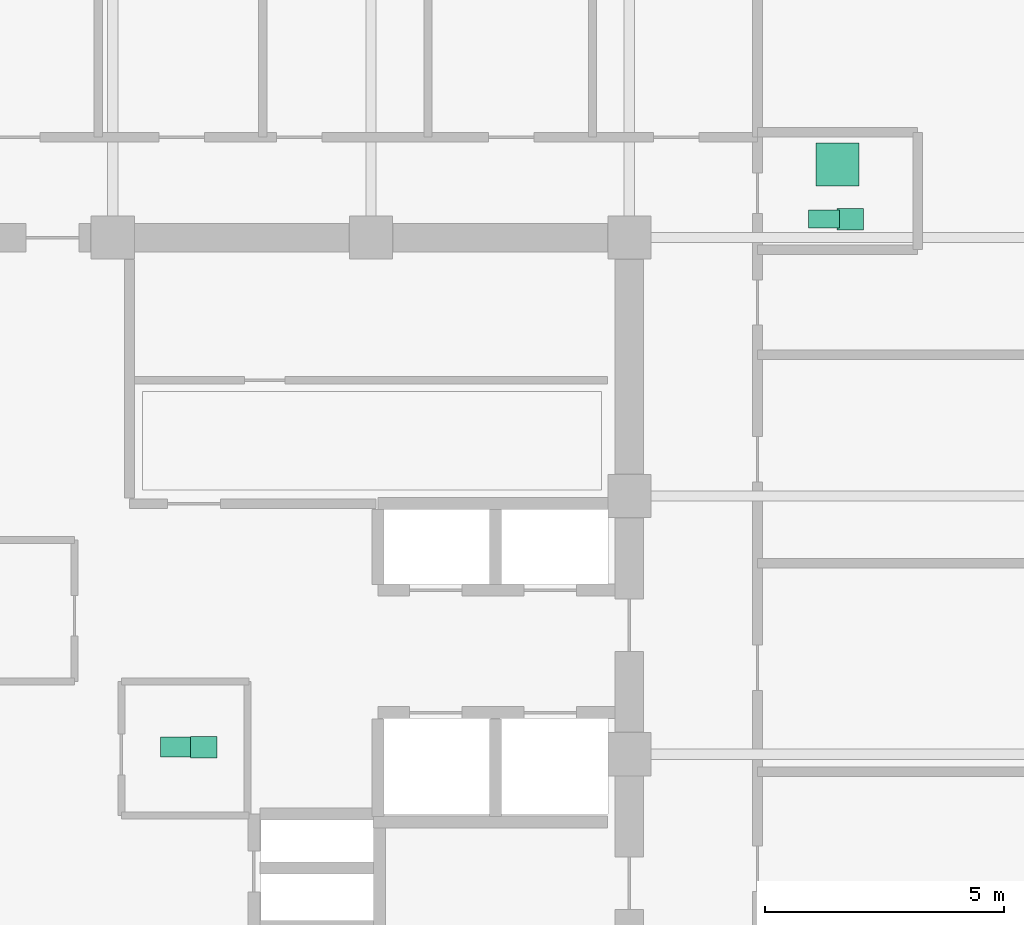
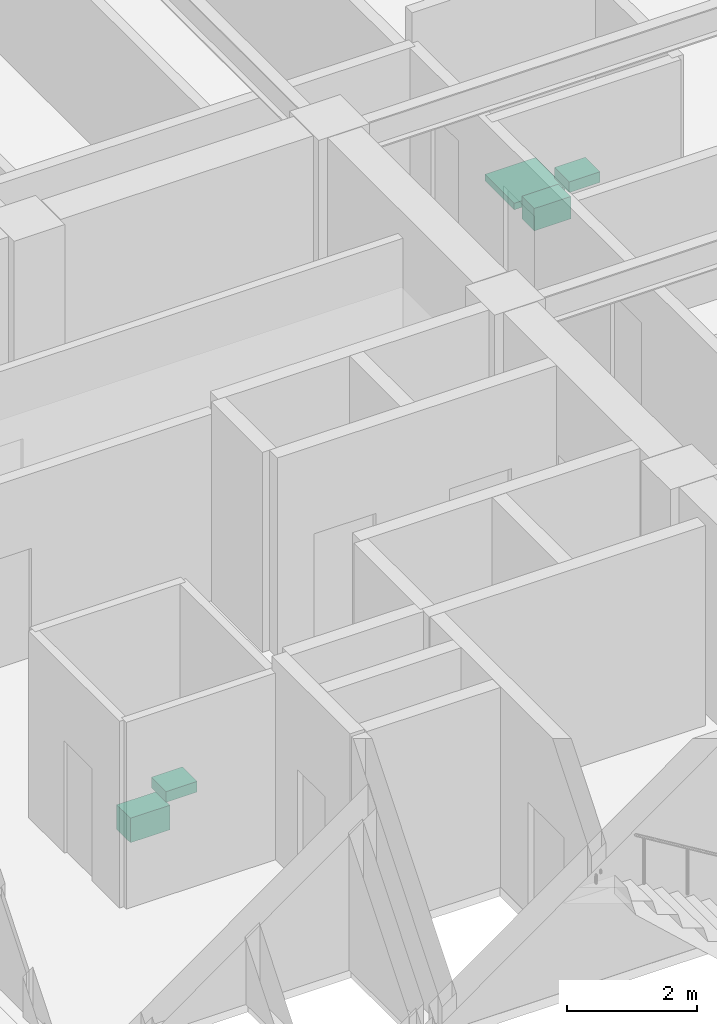
# One storey, part 28 of 28: 5 sanitary terminals.
"""IFC4 building model written with IfcOpenShell, lengths in metres."""

from ifc_helpers import new_model, si_unit, direction, frame, origin, origin_2d, place, context, subcontext, project, spatial, rectangle, extrude, material, type_object, element, save


model = new_model("IFC4")

# Units and contexts
model_context = context("Model", 3, precision=1e-05, world=origin(), true_north=direction((0.0, 1.0)))
body_context = subcontext(model_context, "Body", "Model", "MODEL_VIEW")
ifc_project = project(units=[si_unit("LENGTHUNIT", "METRE"), si_unit("AREAUNIT", "SQUARE_METRE"), si_unit("VOLUMEUNIT", "CUBIC_METRE"), si_unit("PLANEANGLEUNIT", "RADIAN"), si_unit("MASSUNIT", "GRAM", prefix="KILO")], contexts=[model_context])

# Site, building, storey
site_placement = place(None, origin())
site = spatial("IfcSite", under=ifc_project, at=site_placement, CompositionType="ELEMENT")
building_placement = place(site_placement, origin())
building = spatial("IfcBuilding", under=site, at=building_placement, Name="Surkhivell Harbour Commons", CompositionType="ELEMENT")
storey_placement = place(building_placement, frame((0.0, 0.0, 246.0)))
storey = spatial("IfcBuildingStorey", under=building, at=storey_placement, Name="L64", CompositionType="ELEMENT", Elevation=246.0)

# Sanitary terminals
ifc_material_1 = material(Name="Vitreous china washbasin", Category="other")
sanitary_terminal_type_1 = type_object("IfcSanitaryTerminalType", Name="SAN-BSN", PredefinedType="WASHHANDBASIN", material=ifc_material_1)
for number, where, z_axis, x_axis, name in (
    (1, (1.89990234375, 0.14990234375, 0.72021484375), (0.0, 0.0, 1.0), (1.0, 0.0, 0.0), "L64 Core Accessible WC Washbasin"),
    (2, (15.419921875, 11.18994140625, 0.72021484375), (0.0, 0.0, 1.0), (1.0, 0.0, 0.0), "L64 East Communal Bathroom WC Washbasin"),
):
    element("IfcSanitaryTerminal", number, at=place(storey_placement, frame(where, z_axis=z_axis, x_axis=x_axis)), inside=storey, type_object=sanitary_terminal_type_1, Name=name, PredefinedType="WASHHANDBASIN", context=body_context, shape_type="SweptSolid", body=[
        extrude(rectangle(XDim=0.550048828125, YDim=0.449951171875, at=origin_2d()), origin(), (0.0, 0.0, 1.0), 0.199951171875),
    ])
ifc_material_2 = material(Name="Glazed porcelain shower tray", Category="other")
sanitary_terminal_type_2 = type_object("IfcSanitaryTerminalType", Name="SAN-SHW", PredefinedType="SHOWER", material=ifc_material_2)
sanitary_terminal_1_placement = place(storey_placement, frame((15.14990234375, 12.330078125, 0.0), z_axis=(0.0, 0.0, 1.0), x_axis=(1.0, 0.0, 0.0)))
element("IfcSanitaryTerminal", 3, at=sanitary_terminal_1_placement, inside=storey, type_object=sanitary_terminal_type_2, Name="L64 East Communal Shower Tray", PredefinedType="SHOWER", context=body_context, shape_type="SweptSolid", body=[
    extrude(rectangle(XDim=0.89990234375, YDim=0.89990234375, at=origin_2d()), origin(), (0.0, 0.0, 1.0), 0.1201171875),
])
ifc_material_3 = material(Name="Vitreous china sanitaryware", Category="other")
sanitary_terminal_type_3 = type_object("IfcSanitaryTerminalType", Name="SAN-WC-ACC", PredefinedType="TOILETPAN", material=ifc_material_3)
sanitary_terminal_2_placement = place(storey_placement, frame((1.35009765625, 0.14990234375, 0.169921875), z_axis=(0.0, 0.0, 1.0), x_axis=(1.0, 0.0, 0.0)))
element("IfcSanitaryTerminal", 4, at=sanitary_terminal_2_placement, inside=storey, type_object=sanitary_terminal_type_3, Name="L64 Core Accessible WC", PredefinedType="TOILETPAN", context=body_context, shape_type="SweptSolid", body=[
    extrude(rectangle(XDim=0.699951171875, YDim=0.419921875, at=origin_2d()), origin(), (0.0, 0.0, 1.0), 0.4599609375),
])
sanitary_terminal_type_4 = type_object("IfcSanitaryTerminalType", Name="SAN-WC-STD", PredefinedType="TOILETPAN", material=ifc_material_3)
sanitary_terminal_3_placement = place(storey_placement, frame((14.8701171875, 11.18994140625, 0.18994140625), z_axis=(0.0, 0.0, 1.0), x_axis=(1.0, 0.0, 0.0)))
element("IfcSanitaryTerminal", 5, at=sanitary_terminal_3_placement, inside=storey, type_object=sanitary_terminal_type_4, Name="L64 East Communal Bathroom WC", PredefinedType="TOILETPAN", context=body_context, shape_type="SweptSolid", body=[
    extrude(rectangle(XDim=0.64990234375, YDim=0.3798828125, at=origin_2d()), origin(), (0.0, 0.0, 1.0), 0.419921875),
])

save(model, "model.ifc")
